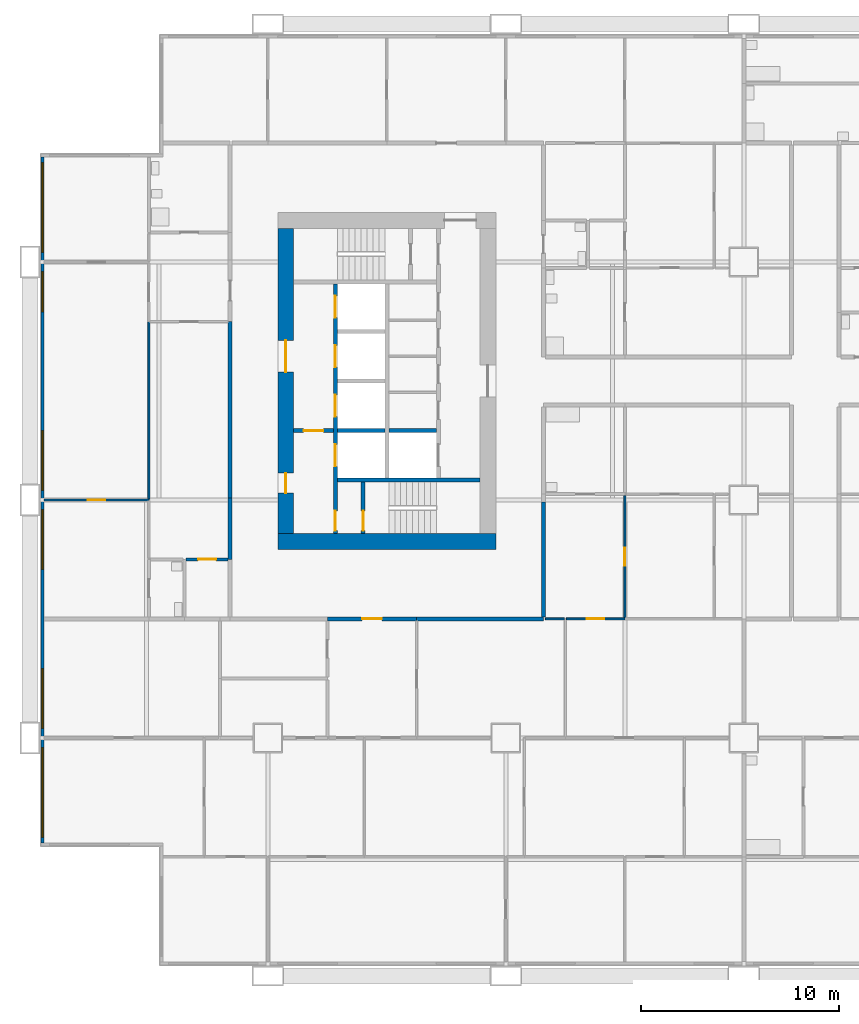
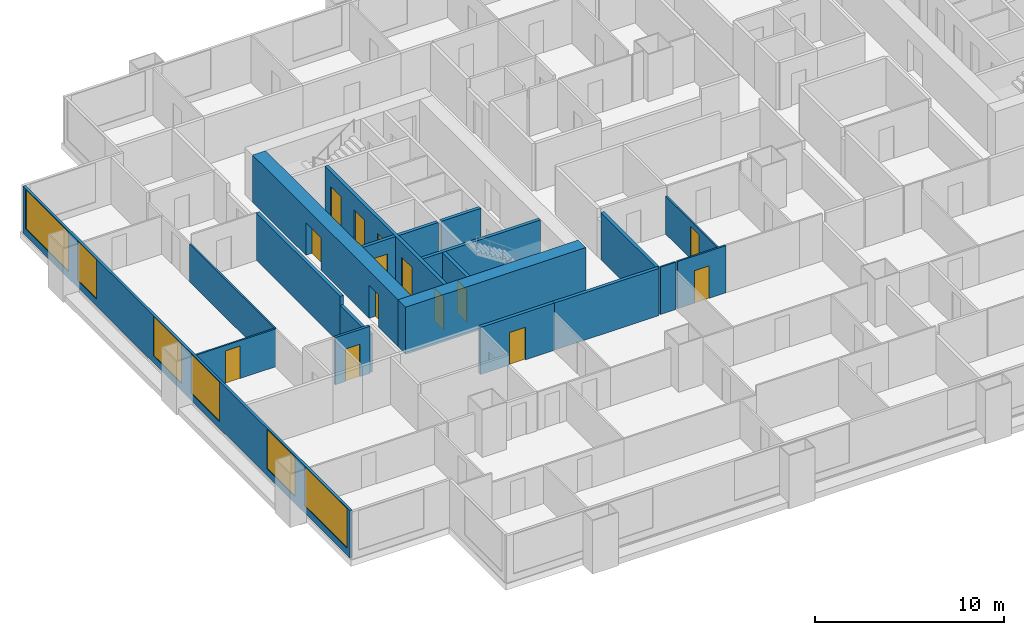
# One storey, part 3 of 13: 20 walls, 14 doors, 6 windows, 20 openings.
"""IFC4 building model written with IfcOpenShell, lengths in metres."""

from ifc_helpers import new_model, si_unit, direction, frame, frame_2d, origin, place, context, subcontext, project, spatial, rectangle, extrude, material, layer, layer_set, type_object, element, fill, save


model = new_model("IFC4")

# Units and contexts
model_context = context("Model", 3, precision=1e-05, world=origin(), true_north=direction((0.0, 1.0)))
body_context = subcontext(model_context, "Body", "Model", "MODEL_VIEW")
ifc_project = project(units=[si_unit("LENGTHUNIT", "METRE"), si_unit("AREAUNIT", "SQUARE_METRE"), si_unit("VOLUMEUNIT", "CUBIC_METRE"), si_unit("PLANEANGLEUNIT", "RADIAN"), si_unit("MASSUNIT", "GRAM", prefix="KILO")], contexts=[model_context])

# Site, building, storey
site_placement = place(None, origin())
site = spatial("IfcSite", under=ifc_project, at=site_placement, CompositionType="ELEMENT")
building_placement = place(site_placement, origin())
building = spatial("IfcBuilding", under=site, at=building_placement, Name="Kitamizu Gate Tower and Museum", CompositionType="ELEMENT")
storey_placement = place(building_placement, frame((0.0, 0.0, 81.75)))
storey = spatial("IfcBuildingStorey", under=building, at=storey_placement, Name="L20", CompositionType="ELEMENT", Elevation=81.75)

# Wall
ifc_material_1 = material(Name="Concrete Fc60", Category="concrete")
ifc_layer_1 = layer(ifc_material_1, 0.800048828125)
ifc_layer_set_1 = layer_set([ifc_layer_1], Name="Concrete Fc60")
wall_type_1 = type_object("IfcWallType", Name="Core wall 800", PredefinedType="SHEAR", material=ifc_layer_set_1)
wall_1_placement = place(storey_placement, frame((12.5, 21.89990234375, 0.0), z_axis=(0.0, 0.0, 1.0), x_axis=(1.0, 0.0, 0.0)))
element("IfcWall", 1, at=wall_1_placement, inside=storey, type_object=wall_type_1, Name="Core wall WS", PredefinedType="SHEAR", context=body_context, shape_type="SweptSolid", body=[
    extrude(rectangle(XDim=11.0, YDim=0.800048828125, at=frame_2d((5.5, 0.0))), origin(), (0.0, 0.0, 1.0), 3.050048828125),
])

# Wall, openings, doors
wall_2_placement = place(storey_placement, frame((12.89990234375, 22.300048828125, 0.0), z_axis=(0.0, 0.0, 1.0), x_axis=(0.0, 1.0, 0.0)))
wall_2 = element("IfcWall", 2, at=wall_2_placement, inside=storey, type_object=wall_type_1, Name="Core wall WOUT", PredefinedType="SHEAR", context=body_context, shape_type="SweptSolid", body=[
    extrude(rectangle(XDim=15.39990234375, YDim=0.800048828125, at=frame_2d((7.699951171875, 0.0))), origin(), (0.0, 0.0, 1.0), 3.050048828125),
])
opening_1_placement = place(wall_2_placement, frame((8.14990234375, 0.0, 0.0)))
opening_1 = element("IfcOpeningElement", 3, at=opening_1_placement, cuts=wall_2, Name="Opening L20-081", PredefinedType="OPENING", context=body_context, shape_type="SweptSolid", body=[
    extrude(rectangle(XDim=1.60009765625, YDim=2.10009765625, at=frame_2d((0.800048828125, 1.050048828125))), frame((0.0, 0.41015625, 0.0), z_axis=(0.0, -1.0, 0.0), x_axis=(1.0, 0.0, 0.0)), (0.0, 0.0, 1.0), 0.820068359375),
])
opening_2_placement = place(wall_2_placement, frame((2.050048828125, 0.0, 0.0)))
opening_2 = element("IfcOpeningElement", 4, at=opening_2_placement, cuts=wall_2, Name="Opening L20-082", PredefinedType="OPENING", context=body_context, shape_type="SweptSolid", body=[
    extrude(rectangle(XDim=1.0, YDim=2.10009765625, at=frame_2d((0.5, 1.050048828125))), frame((0.0, 0.41015625, 0.0), z_axis=(0.0, -1.0, 0.0), x_axis=(1.0, 0.0, 0.0)), (0.0, 0.0, 1.0), 0.820068359375),
])
ifc_material_2 = material(Name="Timber door set", Category="wood")
door_type_1 = type_object("IfcDoorType", Name="Entrance door 1600", OperationType="DOUBLE_DOOR_SINGLE_SWING", PredefinedType="DOOR", material=ifc_material_2)
door_1_placement = place(opening_1_placement, origin())
door_1 = element("IfcDoor", 5, at=door_1_placement, inside=storey, type_object=door_type_1, Name="Lobby door L20-081", OperationType="DOUBLE_DOOR_SINGLE_SWING", OverallHeight=2.10009765625, OverallWidth=1.60009765625, PredefinedType="DOOR", context=body_context, shape_type="SweptSolid", body=[
    extrude(rectangle(XDim=1.60009765625, YDim=2.10009765625, at=frame_2d((0.800048828125, 1.050048828125))), frame((0.0, 0.02490234375, 0.0), z_axis=(0.0, -1.0, 0.0), x_axis=(1.0, 0.0, 0.0)), (0.0, 0.0, 1.0), 0.050048828125),
])
fill(opening_1, door_1)
ifc_material_3 = material(Name="Hollow metal door set")
door_type_2 = type_object("IfcDoorType", Name="Fire door 1000", OperationType="NOTDEFINED", PredefinedType="DOOR", material=ifc_material_3)
door_2_placement = place(opening_2_placement, frame((1.0, 0.0, 0.0), x_axis=(-1.0, 0.0, 0.0)))
door_2 = element("IfcDoor", 6, at=door_2_placement, inside=storey, type_object=door_type_2, Name="Fire-fighting lobby door L20-082", OperationType="SINGLE_SWING_RIGHT", OverallHeight=2.10009765625, OverallWidth=1.0, PredefinedType="DOOR", context=body_context, shape_type="SweptSolid", body=[
    extrude(rectangle(XDim=1.0, YDim=2.10009765625, at=frame_2d((0.5, 1.050048828125))), frame((0.0, 0.02490234375, 0.0), z_axis=(0.0, -1.0, 0.0), x_axis=(1.0, 0.0, 0.0)), (0.0, 0.0, 1.0), 0.050048828125),
])
fill(opening_2, door_2)

# Wall
ifc_material_4 = material(Name="Gypsum board on galvanised stud")
ifc_layer_2 = layer(ifc_material_4, 0.10009765625)
ifc_layer_set_2 = layer_set([ifc_layer_2], Name="Gypsum board on galvanised stud")
wall_type_2 = type_object("IfcWallType", Name="Partition 100 NOT RATED", PredefinedType="PARTITIONING", material=ifc_layer_set_2)
wall_3_placement = place(storey_placement, frame((26.949951171875, 18.0, 0.0), z_axis=(0.0, 0.0, 1.0), x_axis=(-1.0, 0.0, 0.0)))
element("IfcWall", 7, at=wall_3_placement, inside=storey, type_object=wall_type_2, Name="Partition L20-041", PredefinedType="PARTITIONING", context=body_context, shape_type="SweptSolid", body=[
    extrude(rectangle(XDim=0.949951171875, YDim=0.10009765625, at=frame_2d((0.47509765625, 0.0))), origin(), (0.0, 0.0, 1.0), 3.050048828125),
])

# Wall, opening, door
wall_4_placement = place(storey_placement, frame((30.0, 18.0, 0.0), z_axis=(0.0, 0.0, 1.0), x_axis=(-1.0, 0.0, 0.0)))
wall_4 = element("IfcWall", 8, at=wall_4_placement, inside=storey, type_object=wall_type_2, Name="Partition L20-043", PredefinedType="PARTITIONING", context=body_context, shape_type="SweptSolid", body=[
    extrude(rectangle(XDim=2.949951171875, YDim=0.10009765625, at=frame_2d((1.47509765625, 0.0))), origin(), (0.0, 0.0, 1.0), 3.050048828125),
])
opening_3_placement = place(wall_4_placement, frame((1.02490234375, 0.0, 0.0)))
opening_3 = element("IfcOpeningElement", 9, at=opening_3_placement, cuts=wall_4, Name="Opening L20-016", PredefinedType="OPENING", context=body_context, shape_type="SweptSolid", body=[
    extrude(rectangle(XDim=0.89990234375, YDim=2.10009765625, at=frame_2d((0.449951171875, 1.050048828125))), frame((0.0, 0.06005859375, 0.0), z_axis=(0.0, -1.0, 0.0), x_axis=(1.0, 0.0, 0.0)), (0.0, 0.0, 1.0), 0.1201171875),
])
ifc_material_5 = material(Name="Timber door set", Category="wood")
door_type_3 = type_object("IfcDoorType", Name="Room door 900", OperationType="NOTDEFINED", PredefinedType="DOOR", material=ifc_material_5)
door_3_placement = place(opening_3_placement, frame((0.89990234375, 0.0, 0.0), x_axis=(-1.0, 0.0, 0.0)))
door_3 = element("IfcDoor", 10, at=door_3_placement, inside=storey, type_object=door_type_3, Name="Door L20-016", OperationType="SINGLE_SWING_LEFT", OverallHeight=2.10009765625, OverallWidth=0.89990234375, PredefinedType="DOOR", context=body_context, shape_type="SweptSolid", body=[
    extrude(rectangle(XDim=0.89990234375, YDim=2.10009765625, at=frame_2d((0.449951171875, 1.050048828125))), frame((0.0, 0.02490234375, 0.0), z_axis=(0.0, -1.0, 0.0), x_axis=(1.0, 0.0, 0.0)), (0.0, 0.0, 1.0), 0.050048828125),
])
fill(opening_3, door_3)

wall_5_placement = place(storey_placement, frame((30.0, 18.050048828125, 0.0), z_axis=(0.0, 0.0, 1.0), x_axis=(0.0, 1.0, 0.0)))
wall_5 = element("IfcWall", 11, at=wall_5_placement, inside=storey, type_object=wall_type_2, Name="Partition L20-047", PredefinedType="PARTITIONING", context=body_context, shape_type="SweptSolid", body=[
    extrude(rectangle(XDim=6.175048828125, YDim=0.10009765625, at=frame_2d((3.08740234375, 0.0))), origin(), (0.0, 0.0, 1.0), 2.449951171875),
])
opening_4_placement = place(wall_5_placement, frame((2.637451171875, 0.0, 0.0)))
opening_4 = element("IfcOpeningElement", 12, at=opening_4_placement, cuts=wall_5, Name="Opening L20-017", PredefinedType="OPENING", context=body_context, shape_type="SweptSolid", body=[
    extrude(rectangle(XDim=0.89990234375, YDim=2.10009765625, at=frame_2d((0.449951171875, 1.050048828125))), frame((0.0, 0.06005859375, 0.0), z_axis=(0.0, -1.0, 0.0), x_axis=(1.0, 0.0, 0.0)), (0.0, 0.0, 1.0), 0.1201171875),
])
door_4_placement = place(opening_4_placement, origin())
door_4 = element("IfcDoor", 13, at=door_4_placement, inside=storey, type_object=door_type_3, Name="Door L20-017", OperationType="SINGLE_SWING_LEFT", OverallHeight=2.10009765625, OverallWidth=0.89990234375, PredefinedType="DOOR", context=body_context, shape_type="SweptSolid", body=[
    extrude(rectangle(XDim=0.89990234375, YDim=2.10009765625, at=frame_2d((0.449951171875, 1.050048828125))), frame((0.0, 0.02490234375, 0.0), z_axis=(0.0, -1.0, 0.0), x_axis=(1.0, 0.0, 0.0)), (0.0, 0.0, 1.0), 0.050048828125),
])
fill(opening_4, door_4)

wall_6_placement = place(storey_placement, frame((6.0, 24.0, 0.0), z_axis=(0.0, 0.0, 1.0), x_axis=(-1.0, 0.0, 0.0)))
wall_6 = element("IfcWall", 14, at=wall_6_placement, inside=storey, type_object=wall_type_2, Name="Partition L20-063", PredefinedType="PARTITIONING", context=body_context, shape_type="SweptSolid", body=[
    extrude(rectangle(XDim=5.280029296875, YDim=0.10009765625, at=frame_2d((2.64013671875, 0.0))), origin(), (0.0, 0.0, 1.0), 2.449951171875),
])
opening_5_placement = place(wall_6_placement, frame((2.18994140625, 0.0, 0.0)))
opening_5 = element("IfcOpeningElement", 15, at=opening_5_placement, cuts=wall_6, Name="Opening L20-024", PredefinedType="OPENING", context=body_context, shape_type="SweptSolid", body=[
    extrude(rectangle(XDim=0.89990234375, YDim=2.10009765625, at=frame_2d((0.449951171875, 1.050048828125))), frame((0.0, 0.06005859375, 0.0), z_axis=(0.0, -1.0, 0.0), x_axis=(1.0, 0.0, 0.0)), (0.0, 0.0, 1.0), 0.1201171875),
])
door_5_placement = place(opening_5_placement, origin())
door_5 = element("IfcDoor", 16, at=door_5_placement, inside=storey, type_object=door_type_3, Name="Door L20-024", OperationType="SINGLE_SWING_RIGHT", OverallHeight=2.10009765625, OverallWidth=0.89990234375, PredefinedType="DOOR", context=body_context, shape_type="SweptSolid", body=[
    extrude(rectangle(XDim=0.89990234375, YDim=2.10009765625, at=frame_2d((0.449951171875, 1.050048828125))), frame((0.0, 0.02490234375, 0.0), z_axis=(0.0, -1.0, 0.0), x_axis=(1.0, 0.0, 0.0)), (0.0, 0.0, 1.0), 0.050048828125),
])
fill(opening_5, door_5)

# Wall
wall_7_placement = place(storey_placement, frame((6.0, 24.050048828125, 0.0), z_axis=(0.0, 0.0, 1.0), x_axis=(0.0, 1.0, 0.0)))
element("IfcWall", 17, at=wall_7_placement, inside=storey, type_object=wall_type_2, Name="Partition L20-067", PredefinedType="PARTITIONING", context=body_context, shape_type="SweptSolid", body=[
    extrude(rectangle(XDim=8.949951171875, YDim=0.10009765625, at=frame_2d((4.47509765625, 0.0))), origin(), (0.0, 0.0, 1.0), 2.449951171875),
])

# Wall, opening, door
ifc_material_6 = material(Name="Gypsum board on galvanised stud")
ifc_layer_3 = layer(ifc_material_6, 0.14990234375)
ifc_layer_set_3 = layer_set([ifc_layer_3], Name="Gypsum board on galvanised stud")
wall_type_3 = type_object("IfcWallType", Name="Partition 150", PredefinedType="PARTITIONING", material=ifc_layer_set_3)
wall_8_placement = place(storey_placement, frame((10.0, 21.0, 0.0), z_axis=(0.0, 0.0, 1.0), x_axis=(-1.0, 0.0, 0.0)))
wall_8 = element("IfcWall", 18, at=wall_8_placement, inside=storey, type_object=wall_type_3, Name="Partition L20-073", PredefinedType="PARTITIONING", context=body_context, shape_type="SweptSolid", body=[
    extrude(rectangle(XDim=2.125, YDim=0.14990234375, at=frame_2d((1.0625, 0.0))), origin(), (0.0, 0.0, 1.0), 3.050048828125),
])
opening_6_placement = place(wall_8_placement, frame((0.612548828125, 0.0, 0.0)))
opening_6 = element("IfcOpeningElement", 19, at=opening_6_placement, cuts=wall_8, Name="Opening L20-028", PredefinedType="OPENING", context=body_context, shape_type="SweptSolid", body=[
    extrude(rectangle(XDim=0.89990234375, YDim=2.10009765625, at=frame_2d((0.449951171875, 1.050048828125))), frame((0.0, 0.0849609375, 0.0), z_axis=(0.0, -1.0, 0.0), x_axis=(1.0, 0.0, 0.0)), (0.0, 0.0, 1.0), 0.169921875),
])
ifc_material_7 = material(Name="Timber door set", Category="wood")
door_type_4 = type_object("IfcDoorType", Name="Bathroom door 900", OperationType="NOTDEFINED", PredefinedType="DOOR", material=ifc_material_7)
door_6_placement = place(opening_6_placement, origin())
door_6 = element("IfcDoor", 20, at=door_6_placement, inside=storey, type_object=door_type_4, Name="Bathroom door L20-028", OperationType="SINGLE_SWING_RIGHT", OverallHeight=2.10009765625, OverallWidth=0.89990234375, PredefinedType="DOOR", context=body_context, shape_type="SweptSolid", body=[
    extrude(rectangle(XDim=0.89990234375, YDim=2.10009765625, at=frame_2d((0.449951171875, 1.050048828125))), frame((0.0, 0.02490234375, 0.0), z_axis=(0.0, -1.0, 0.0), x_axis=(1.0, 0.0, 0.0)), (0.0, 0.0, 1.0), 0.050048828125),
])
fill(opening_6, door_6)

ifc_material_8 = material(Name="Gypsum board on galvanised stud")
ifc_layer_4 = layer(ifc_material_8, 0.199951171875)
ifc_layer_set_4 = layer_set([ifc_layer_4], Name="Gypsum board on galvanised stud")
wall_type_4 = type_object("IfcWallType", Name="Partition 200", PredefinedType="PARTITIONING", material=ifc_layer_set_4)
wall_9_placement = place(storey_placement, frame((19.5, 18.0, 0.0), z_axis=(0.0, 0.0, 1.0), x_axis=(-1.0, 0.0, 0.0)))
wall_9 = element("IfcWall", 21, at=wall_9_placement, inside=storey, type_object=wall_type_4, Name="Partition L20-039", PredefinedType="PARTITIONING", context=body_context, shape_type="SweptSolid", body=[
    extrude(rectangle(XDim=4.5, YDim=0.199951171875, at=frame_2d((2.25, 0.0))), origin(), (0.0, 0.0, 1.0), 3.050048828125),
])
opening_7_placement = place(wall_9_placement, frame((1.75, 0.0, 0.0)))
opening_7 = element("IfcOpeningElement", 22, at=opening_7_placement, cuts=wall_9, Name="Opening L20-001", PredefinedType="OPENING", context=body_context, shape_type="SweptSolid", body=[
    extrude(rectangle(XDim=1.0, YDim=2.10009765625, at=frame_2d((0.5, 1.050048828125))), frame((0.0, 0.10986328125, 0.0), z_axis=(0.0, -1.0, 0.0), x_axis=(1.0, 0.0, 0.0)), (0.0, 0.0, 1.0), 0.219970703125),
])
ifc_material_9 = material(Name="Timber door set", Category="wood")
door_type_5 = type_object("IfcDoorType", Name="Flat entrance door 1000", OperationType="NOTDEFINED", PredefinedType="DOOR", material=ifc_material_9)
door_7_placement = place(opening_7_placement, origin())
door_7 = element("IfcDoor", 23, at=door_7_placement, inside=storey, type_object=door_type_5, Name="Flat entrance door L20-001", OperationType="SINGLE_SWING_RIGHT", OverallHeight=2.10009765625, OverallWidth=1.0, PredefinedType="DOOR", context=body_context, shape_type="SweptSolid", body=[
    extrude(rectangle(XDim=1.0, YDim=2.10009765625, at=frame_2d((0.5, 1.050048828125))), frame((0.0, 0.02490234375, 0.0), z_axis=(0.0, -1.0, 0.0), x_axis=(1.0, 0.0, 0.0)), (0.0, 0.0, 1.0), 0.050048828125),
])
fill(opening_7, door_7)

# Walls
wall_10_placement = place(storey_placement, frame((25.89990234375, 18.0, 0.0), z_axis=(0.0, 0.0, 1.0), x_axis=(-1.0, 0.0, 0.0)))
element("IfcWall", 24, at=wall_10_placement, inside=storey, type_object=wall_type_4, Name="Partition L20-042", PredefinedType="PARTITIONING", context=body_context, shape_type="SweptSolid", body=[
    extrude(rectangle(XDim=6.39990234375, YDim=0.199951171875, at=frame_2d((3.199951171875, 0.0))), origin(), (0.0, 0.0, 1.0), 3.050048828125),
])
wall_11_placement = place(storey_placement, frame((25.89990234375, 23.89990234375, 0.0), z_axis=(0.0, 0.0, 1.0), x_axis=(0.0, -1.0, 0.0)))
element("IfcWall", 25, at=wall_11_placement, inside=storey, type_object=wall_type_4, Name="Partition L20-050", PredefinedType="PARTITIONING", context=body_context, shape_type="SweptSolid", body=[
    extrude(rectangle(XDim=5.7998046875, YDim=0.199951171875, at=frame_2d((2.89990234375, 0.0))), origin(), (0.0, 0.0, 1.0), 3.050048828125),
])
wall_12_placement = place(storey_placement, frame((10.10009765625, 21.0, 0.0), z_axis=(0.0, 0.0, 1.0), x_axis=(0.0, 1.0, 0.0)))
element("IfcWall", 26, at=wall_12_placement, inside=storey, type_object=wall_type_4, Name="Partition L20-076", PredefinedType="PARTITIONING", context=body_context, shape_type="SweptSolid", body=[
    extrude(rectangle(XDim=3.10009765625, YDim=0.199951171875, at=frame_2d((1.550048828125, 0.0))), origin(), (0.0, 0.0, 1.0), 2.449951171875),
])
wall_13_placement = place(storey_placement, frame((10.10009765625, 24.10009765625, 0.0), z_axis=(0.0, 0.0, 1.0), x_axis=(0.0, 1.0, 0.0)))
element("IfcWall", 27, at=wall_13_placement, inside=storey, type_object=wall_type_4, Name="Partition L20-077", PredefinedType="PARTITIONING", context=body_context, shape_type="SweptSolid", body=[
    extrude(rectangle(XDim=8.89990234375, YDim=0.199951171875, at=frame_2d((4.449951171875, 0.0))), origin(), (0.0, 0.0, 1.0), 3.050048828125),
])

# Wall, openings, doors
ifc_material_10 = material(Name="Concrete Fc42", Category="concrete")
ifc_layer_5 = layer(ifc_material_10, 0.199951171875)
ifc_layer_set_5 = layer_set([ifc_layer_5], Name="Concrete Fc42")
wall_type_5 = type_object("IfcWallType", Name="Shaft wall 200", PredefinedType="SOLIDWALL", material=ifc_layer_set_5)
wall_14_placement = place(storey_placement, frame((15.39990234375, 22.300048828125, 0.0), z_axis=(0.0, 0.0, 1.0), x_axis=(0.0, 1.0, 0.0)))
wall_14 = element("IfcWall", 28, at=wall_14_placement, inside=storey, type_object=wall_type_5, Name="Shaft wall WWEST", PredefinedType="SOLIDWALL", context=body_context, shape_type="SweptSolid", body=[
    extrude(rectangle(XDim=12.599853515625, YDim=0.199951171875, at=frame_2d((6.2998046875, 0.0))), origin(), (0.0, 0.0, 1.0), 3.050048828125),
])
opening_8_placement = place(wall_14_placement, frame((3.39990234375, 0.0, 0.0)))
opening_8 = element("IfcOpeningElement", 29, at=opening_8_placement, cuts=wall_14, Name="Opening LD", PredefinedType="OPENING", context=body_context, shape_type="SweptSolid", body=[
    extrude(rectangle(XDim=1.10009765625, YDim=2.10009765625, at=frame_2d((0.550048828125, 1.050048828125))), frame((0.0, 0.10986328125, 0.0), z_axis=(0.0, -1.0, 0.0), x_axis=(1.0, 0.0, 0.0)), (0.0, 0.0, 1.0), 0.219970703125),
])
opening_9_placement = place(wall_14_placement, frame((5.89990234375, 0.0, 0.0)))
opening_9 = element("IfcOpeningElement", 30, at=opening_9_placement, cuts=wall_14, Name="Opening LD", PredefinedType="OPENING", context=body_context, shape_type="SweptSolid", body=[
    extrude(rectangle(XDim=1.10009765625, YDim=2.10009765625, at=frame_2d((0.550048828125, 1.050048828125))), frame((0.0, 0.10986328125, 0.0), z_axis=(0.0, -1.0, 0.0), x_axis=(1.0, 0.0, 0.0)), (0.0, 0.0, 1.0), 0.219970703125),
])
opening_10_placement = place(wall_14_placement, frame((8.39990234375, 0.0, 0.0)))
opening_10 = element("IfcOpeningElement", 31, at=opening_10_placement, cuts=wall_14, Name="Opening LD", PredefinedType="OPENING", context=body_context, shape_type="SweptSolid", body=[
    extrude(rectangle(XDim=1.10009765625, YDim=2.10009765625, at=frame_2d((0.550048828125, 1.050048828125))), frame((0.0, 0.10986328125, 0.0), z_axis=(0.0, -1.0, 0.0), x_axis=(1.0, 0.0, 0.0)), (0.0, 0.0, 1.0), 0.219970703125),
])
opening_11_placement = place(wall_14_placement, frame((10.89990234375, 0.0, 0.0)))
opening_11 = element("IfcOpeningElement", 32, at=opening_11_placement, cuts=wall_14, Name="Opening LD", PredefinedType="OPENING", context=body_context, shape_type="SweptSolid", body=[
    extrude(rectangle(XDim=1.10009765625, YDim=2.10009765625, at=frame_2d((0.550048828125, 1.050048828125))), frame((0.0, 0.10986328125, 0.0), z_axis=(0.0, -1.0, 0.0), x_axis=(1.0, 0.0, 0.0)), (0.0, 0.0, 1.0), 0.219970703125),
])
opening_12_placement = place(wall_14_placement, frame((0.14990234375, 0.0, 0.0)))
opening_12 = element("IfcOpeningElement", 33, at=opening_12_placement, cuts=wall_14, Name="Opening L20-077", PredefinedType="OPENING", context=body_context, shape_type="SweptSolid", body=[
    extrude(rectangle(XDim=1.0, YDim=2.10009765625, at=frame_2d((0.5, 1.050048828125))), frame((0.0, 0.10986328125, 0.0), z_axis=(0.0, -1.0, 0.0), x_axis=(1.0, 0.0, 0.0)), (0.0, 0.0, 1.0), 0.219970703125),
])
door_8_placement = place(opening_12_placement, frame((1.0, 0.0, 0.0), x_axis=(-1.0, 0.0, 0.0)))
door_8 = element("IfcDoor", 34, at=door_8_placement, inside=storey, type_object=door_type_2, Name="Stair lobby door L20-077", OperationType="SINGLE_SWING_LEFT", OverallHeight=2.10009765625, OverallWidth=1.0, PredefinedType="DOOR", context=body_context, shape_type="SweptSolid", body=[
    extrude(rectangle(XDim=1.0, YDim=2.10009765625, at=frame_2d((0.5, 1.050048828125))), frame((0.0, 0.02490234375, 0.0), z_axis=(0.0, -1.0, 0.0), x_axis=(1.0, 0.0, 0.0)), (0.0, 0.0, 1.0), 0.050048828125),
])
fill(opening_12, door_8)
ifc_material_11 = material(Name="Hollow metal door set")
door_type_6 = type_object("IfcDoorType", Name="Landing door 1100", OperationType="SLIDING_TO_LEFT", PredefinedType="DOOR", material=ifc_material_11)
door_9_placement = place(opening_8_placement, origin())
door_9 = element("IfcDoor", 35, at=door_9_placement, inside=storey, type_object=door_type_6, Name="Landing door WFF1", OperationType="SLIDING_TO_LEFT", OverallHeight=2.10009765625, OverallWidth=1.10009765625, PredefinedType="DOOR", context=body_context, shape_type="SweptSolid", body=[
    extrude(rectangle(XDim=1.10009765625, YDim=2.10009765625, at=frame_2d((0.550048828125, 1.050048828125))), frame((0.0, 0.02490234375, 0.0), z_axis=(0.0, -1.0, 0.0), x_axis=(1.0, 0.0, 0.0)), (0.0, 0.0, 1.0), 0.050048828125),
])
fill(opening_8, door_9)
door_10_placement = place(opening_9_placement, origin())
door_10 = element("IfcDoor", 36, at=door_10_placement, inside=storey, type_object=door_type_6, Name="Landing door WL1", OperationType="SLIDING_TO_LEFT", OverallHeight=2.10009765625, OverallWidth=1.10009765625, PredefinedType="DOOR", context=body_context, shape_type="SweptSolid", body=[
    extrude(rectangle(XDim=1.10009765625, YDim=2.10009765625, at=frame_2d((0.550048828125, 1.050048828125))), frame((0.0, 0.02490234375, 0.0), z_axis=(0.0, -1.0, 0.0), x_axis=(1.0, 0.0, 0.0)), (0.0, 0.0, 1.0), 0.050048828125),
])
fill(opening_9, door_10)
door_11_placement = place(opening_10_placement, origin())
door_11 = element("IfcDoor", 37, at=door_11_placement, inside=storey, type_object=door_type_6, Name="Landing door WL2", OperationType="SLIDING_TO_LEFT", OverallHeight=2.10009765625, OverallWidth=1.10009765625, PredefinedType="DOOR", context=body_context, shape_type="SweptSolid", body=[
    extrude(rectangle(XDim=1.10009765625, YDim=2.10009765625, at=frame_2d((0.550048828125, 1.050048828125))), frame((0.0, 0.02490234375, 0.0), z_axis=(0.0, -1.0, 0.0), x_axis=(1.0, 0.0, 0.0)), (0.0, 0.0, 1.0), 0.050048828125),
])
fill(opening_10, door_11)
door_12_placement = place(opening_11_placement, origin())
door_12 = element("IfcDoor", 38, at=door_12_placement, inside=storey, type_object=door_type_6, Name="Landing door WL3", OperationType="SLIDING_TO_LEFT", OverallHeight=2.10009765625, OverallWidth=1.10009765625, PredefinedType="DOOR", context=body_context, shape_type="SweptSolid", body=[
    extrude(rectangle(XDim=1.10009765625, YDim=2.10009765625, at=frame_2d((0.550048828125, 1.050048828125))), frame((0.0, 0.02490234375, 0.0), z_axis=(0.0, -1.0, 0.0), x_axis=(1.0, 0.0, 0.0)), (0.0, 0.0, 1.0), 0.050048828125),
])
fill(opening_11, door_12)

# Wall
wall_15_placement = place(storey_placement, frame((15.5, 25.0, 0.0), z_axis=(0.0, 0.0, 1.0), x_axis=(1.0, 0.0, 0.0)))
element("IfcWall", 39, at=wall_15_placement, inside=storey, type_object=wall_type_5, Name="Shaft wall WSB", PredefinedType="SOLIDWALL", context=body_context, shape_type="SweptSolid", body=[
    extrude(rectangle(XDim=7.199951171875, YDim=0.199951171875, at=frame_2d((3.60009765625, 0.0))), origin(), (0.0, 0.0, 1.0), 3.050048828125),
])

# Wall, opening, door
wall_16_placement = place(storey_placement, frame((13.300048828125, 27.5, 0.0), z_axis=(0.0, 0.0, 1.0), x_axis=(1.0, 0.0, 0.0)))
wall_16 = element("IfcWall", 40, at=wall_16_placement, inside=storey, type_object=wall_type_5, Name="Shaft wall WFFN", PredefinedType="SOLIDWALL", context=body_context, shape_type="SweptSolid", body=[
    extrude(rectangle(XDim=2.0, YDim=0.199951171875, at=frame_2d((1.0, 0.0))), origin(), (0.0, 0.0, 1.0), 3.050048828125),
])
opening_13_placement = place(wall_16_placement, frame((0.5, 0.0, 0.0)))
opening_13 = element("IfcOpeningElement", 41, at=opening_13_placement, cuts=wall_16, Name="Opening L20-080", PredefinedType="OPENING", context=body_context, shape_type="SweptSolid", body=[
    extrude(rectangle(XDim=1.0, YDim=2.10009765625, at=frame_2d((0.5, 1.050048828125))), frame((0.0, 0.10986328125, 0.0), z_axis=(0.0, -1.0, 0.0), x_axis=(1.0, 0.0, 0.0)), (0.0, 0.0, 1.0), 0.219970703125),
])
door_13_placement = place(opening_13_placement, frame((1.0, 0.0, 0.0), x_axis=(-1.0, 0.0, 0.0)))
door_13 = element("IfcDoor", 42, at=door_13_placement, inside=storey, type_object=door_type_2, Name="Fire-fighting lobby door L20-080", OperationType="SINGLE_SWING_LEFT", OverallHeight=2.10009765625, OverallWidth=1.0, PredefinedType="DOOR", context=body_context, shape_type="SweptSolid", body=[
    extrude(rectangle(XDim=1.0, YDim=2.10009765625, at=frame_2d((0.5, 1.050048828125))), frame((0.0, 0.02490234375, 0.0), z_axis=(0.0, -1.0, 0.0), x_axis=(1.0, 0.0, 0.0)), (0.0, 0.0, 1.0), 0.050048828125),
])
fill(opening_13, door_13)

wall_17_placement = place(storey_placement, frame((16.800048828125, 22.300048828125, 0.0), z_axis=(0.0, 0.0, 1.0), x_axis=(0.0, 1.0, 0.0)))
wall_17 = element("IfcWall", 43, at=wall_17_placement, inside=storey, type_object=wall_type_5, Name="Shaft wall WSZ", PredefinedType="SOLIDWALL", context=body_context, shape_type="SweptSolid", body=[
    extrude(rectangle(XDim=2.599853515625, YDim=0.199951171875, at=frame_2d((1.2998046875, 0.0))), origin(), (0.0, 0.0, 1.0), 3.050048828125),
])
opening_14_placement = place(wall_17_placement, frame((0.14990234375, 0.0, 0.0)))
opening_14 = element("IfcOpeningElement", 44, at=opening_14_placement, cuts=wall_17, Name="Opening L20-076", PredefinedType="OPENING", context=body_context, shape_type="SweptSolid", body=[
    extrude(rectangle(XDim=1.0, YDim=2.10009765625, at=frame_2d((0.5, 1.050048828125))), frame((0.0, 0.10986328125, 0.0), z_axis=(0.0, -1.0, 0.0), x_axis=(1.0, 0.0, 0.0)), (0.0, 0.0, 1.0), 0.219970703125),
])
door_14_placement = place(opening_14_placement, frame((1.0, 0.0, 0.0), x_axis=(-1.0, 0.0, 0.0)))
door_14 = element("IfcDoor", 45, at=door_14_placement, inside=storey, type_object=door_type_2, Name="Stair door L20-076", OperationType="SINGLE_SWING_LEFT", OverallHeight=2.10009765625, OverallWidth=1.0, PredefinedType="DOOR", context=body_context, shape_type="SweptSolid", body=[
    extrude(rectangle(XDim=1.0, YDim=2.10009765625, at=frame_2d((0.5, 1.050048828125))), frame((0.0, 0.02490234375, 0.0), z_axis=(0.0, -1.0, 0.0), x_axis=(1.0, 0.0, 0.0)), (0.0, 0.0, 1.0), 0.050048828125),
])
fill(opening_14, door_14)

# Walls
for number, where, z_axis, x_axis, name in (
    (46, (15.5, 27.5, 0.0), (0.0, 0.0, 1.0), (1.0, 0.0, 0.0), "Shaft wall WDVW0"),
    (47, (18.10009765625, 27.5, 0.0), (0.0, 0.0, 1.0), (1.0, 0.0, 0.0), "Shaft wall WDVE0"),
):
    element("IfcWall", number, at=place(storey_placement, frame(where, z_axis=z_axis, x_axis=x_axis)), inside=storey, type_object=wall_type_5, Name=name, PredefinedType="SOLIDWALL", context=body_context, shape_type="SweptSolid", body=[
        extrude(rectangle(XDim=2.39990234375, YDim=0.199951171875, at=frame_2d((1.199951171875, 0.0))), origin(), (0.0, 0.0, 1.0), 3.050048828125),
    ])

# Wall, openings, windows
ifc_material_12 = material(Name="Bronze anodised aluminium frame with insulated spandrel and tinted glass", Category="aluminium")
ifc_layer_6 = layer(ifc_material_12, 0.14990234375)
ifc_layer_set_6 = layer_set([ifc_layer_6], Name="Bronze anodised aluminium frame with insulated spandrel and tinted glass")
wall_type_6 = type_object("IfcWallType", Name="WINDOW WALL 150 BRONZE FRAME EI 30", PredefinedType="ELEMENTEDWALL", material=ifc_layer_set_6)
wall_18_placement = place(storey_placement, frame((0.635009765625, 6.7099609375, 0.0), z_axis=(0.0, 0.0, 1.0), x_axis=(0.0, 1.0, 0.0)))
wall_18 = element("IfcWall", 48, at=wall_18_placement, inside=storey, type_object=wall_type_6, Name="Window wall west L20", PredefinedType="ELEMENTEDWALL", context=body_context, shape_type="SweptSolid", body=[
    extrude(rectangle(XDim=34.580078125, YDim=0.14990234375, at=frame_2d((17.2900390625, 0.0))), origin(), (0.0, 0.0, 1.0), 3.050048828125),
])
opening_15_placement = place(wall_18_placement, frame((0.2900390625, 0.0, 0.449951171875)))
opening_15 = element("IfcOpeningElement", 49, at=opening_15_placement, cuts=wall_18, Name="Opening W15", PredefinedType="OPENING", context=body_context, shape_type="SweptSolid", body=[
    extrude(rectangle(XDim=4.5, YDim=2.550048828125, at=frame_2d((2.25, 1.27490234375))), frame((0.0, 0.0849609375, 0.0), z_axis=(0.0, -1.0, 0.0), x_axis=(1.0, 0.0, 0.0)), (0.0, 0.0, 1.0), 0.169921875),
])
opening_16_placement = place(wall_18_placement, frame((5.7900390625, 0.0, 0.449951171875)))
opening_16 = element("IfcOpeningElement", 50, at=opening_16_placement, cuts=wall_18, Name="Opening W33", PredefinedType="OPENING", context=body_context, shape_type="SweptSolid", body=[
    extrude(rectangle(XDim=3.0, YDim=2.550048828125, at=frame_2d((1.5, 1.27490234375))), frame((0.0, 0.0849609375, 0.0), z_axis=(0.0, -1.0, 0.0), x_axis=(1.0, 0.0, 0.0)), (0.0, 0.0, 1.0), 0.169921875),
])
opening_17_placement = place(wall_18_placement, frame((13.7900390625, 0.0, 0.449951171875)))
opening_17 = element("IfcOpeningElement", 51, at=opening_17_placement, cuts=wall_18, Name="Opening W33", PredefinedType="OPENING", context=body_context, shape_type="SweptSolid", body=[
    extrude(rectangle(XDim=3.0, YDim=2.550048828125, at=frame_2d((1.5, 1.27490234375))), frame((0.0, 0.0849609375, 0.0), z_axis=(0.0, -1.0, 0.0), x_axis=(1.0, 0.0, 0.0)), (0.0, 0.0, 1.0), 0.169921875),
])
opening_18_placement = place(wall_18_placement, frame((17.7900390625, 0.0, 0.449951171875)))
opening_18 = element("IfcOpeningElement", 52, at=opening_18_placement, cuts=wall_18, Name="Opening W33", PredefinedType="OPENING", context=body_context, shape_type="SweptSolid", body=[
    extrude(rectangle(XDim=3.0, YDim=2.550048828125, at=frame_2d((1.5, 1.27490234375))), frame((0.0, 0.0849609375, 0.0), z_axis=(0.0, -1.0, 0.0), x_axis=(1.0, 0.0, 0.0)), (0.0, 0.0, 1.0), 0.169921875),
])
opening_19_placement = place(wall_18_placement, frame((26.7900390625, 0.0, 0.449951171875)))
opening_19 = element("IfcOpeningElement", 53, at=opening_19_placement, cuts=wall_18, Name="Opening W2", PredefinedType="OPENING", context=body_context, shape_type="SweptSolid", body=[
    extrude(rectangle(XDim=2.0, YDim=2.550048828125, at=frame_2d((1.0, 1.27490234375))), frame((0.0, 0.0849609375, 0.0), z_axis=(0.0, -1.0, 0.0), x_axis=(1.0, 0.0, 0.0)), (0.0, 0.0, 1.0), 0.169921875),
])
opening_20_placement = place(wall_18_placement, frame((29.7900390625, 0.0, 0.449951171875)))
opening_20 = element("IfcOpeningElement", 54, at=opening_20_placement, cuts=wall_18, Name="Opening W15", PredefinedType="OPENING", context=body_context, shape_type="SweptSolid", body=[
    extrude(rectangle(XDim=4.5, YDim=2.550048828125, at=frame_2d((2.25, 1.27490234375))), frame((0.0, 0.0849609375, 0.0), z_axis=(0.0, -1.0, 0.0), x_axis=(1.0, 0.0, 0.0)), (0.0, 0.0, 1.0), 0.169921875),
])
ifc_material_13 = material(Name="Bronze anodised aluminium frame, tinted triple glazing", Category="aluminium")
window_type_1 = type_object("IfcWindowType", Name="WINDOW 2000 x 2550 SILL 450", PartitioningType="SINGLE_PANEL", PredefinedType="WINDOW", material=ifc_material_13)
window_1_placement = place(opening_19_placement, origin())
window_1 = element("IfcWindow", 55, at=window_1_placement, inside=storey, type_object=window_type_1, Name="Window W2 L20", OverallHeight=2.550048828125, OverallWidth=2.0, PartitioningType="SINGLE_PANEL", PredefinedType="WINDOW", context=body_context, shape_type="SweptSolid", body=[
    extrude(rectangle(XDim=2.0, YDim=2.550048828125, at=frame_2d((1.0, 1.27490234375))), frame((0.0, 0.030029296875, 0.0), z_axis=(0.0, -1.0, 0.0), x_axis=(1.0, 0.0, 0.0)), (0.0, 0.0, 1.0), 0.06005859375),
])
fill(opening_19, window_1)
ifc_material_14 = material(Name="Bronze anodised aluminium frame, tinted triple glazing", Category="aluminium")
window_type_2 = type_object("IfcWindowType", Name="WINDOW 3000 x 2550 SILL 450", PartitioningType="SINGLE_PANEL", PredefinedType="WINDOW", material=ifc_material_14)
window_2_placement = place(opening_16_placement, origin())
window_2 = element("IfcWindow", 56, at=window_2_placement, inside=storey, type_object=window_type_2, Name="Window W33 L20", OverallHeight=2.550048828125, OverallWidth=3.0, PartitioningType="SINGLE_PANEL", PredefinedType="WINDOW", context=body_context, shape_type="SweptSolid", body=[
    extrude(rectangle(XDim=3.0, YDim=2.550048828125, at=frame_2d((1.5, 1.27490234375))), frame((0.0, 0.030029296875, 0.0), z_axis=(0.0, -1.0, 0.0), x_axis=(1.0, 0.0, 0.0)), (0.0, 0.0, 1.0), 0.06005859375),
])
fill(opening_16, window_2)
window_3_placement = place(opening_17_placement, origin())
window_3 = element("IfcWindow", 57, at=window_3_placement, inside=storey, type_object=window_type_2, Name="Window W33 L20", OverallHeight=2.550048828125, OverallWidth=3.0, PartitioningType="SINGLE_PANEL", PredefinedType="WINDOW", context=body_context, shape_type="SweptSolid", body=[
    extrude(rectangle(XDim=3.0, YDim=2.550048828125, at=frame_2d((1.5, 1.27490234375))), frame((0.0, 0.030029296875, 0.0), z_axis=(0.0, -1.0, 0.0), x_axis=(1.0, 0.0, 0.0)), (0.0, 0.0, 1.0), 0.06005859375),
])
fill(opening_17, window_3)
window_4_placement = place(opening_18_placement, origin())
window_4 = element("IfcWindow", 58, at=window_4_placement, inside=storey, type_object=window_type_2, Name="Window W33 L20", OverallHeight=2.550048828125, OverallWidth=3.0, PartitioningType="SINGLE_PANEL", PredefinedType="WINDOW", context=body_context, shape_type="SweptSolid", body=[
    extrude(rectangle(XDim=3.0, YDim=2.550048828125, at=frame_2d((1.5, 1.27490234375))), frame((0.0, 0.030029296875, 0.0), z_axis=(0.0, -1.0, 0.0), x_axis=(1.0, 0.0, 0.0)), (0.0, 0.0, 1.0), 0.06005859375),
])
fill(opening_18, window_4)
ifc_material_15 = material(Name="Bronze anodised aluminium frame, tinted triple glazing", Category="aluminium")
window_type_3 = type_object("IfcWindowType", Name="WINDOW 4500 x 2550 SILL 450", PartitioningType="SINGLE_PANEL", PredefinedType="WINDOW", material=ifc_material_15)
window_5_placement = place(opening_15_placement, origin())
window_5 = element("IfcWindow", 59, at=window_5_placement, inside=storey, type_object=window_type_3, Name="Window W15 L20", OverallHeight=2.550048828125, OverallWidth=4.5, PartitioningType="SINGLE_PANEL", PredefinedType="WINDOW", context=body_context, shape_type="SweptSolid", body=[
    extrude(rectangle(XDim=4.5, YDim=2.550048828125, at=frame_2d((2.25, 1.27490234375))), frame((0.0, 0.030029296875, 0.0), z_axis=(0.0, -1.0, 0.0), x_axis=(1.0, 0.0, 0.0)), (0.0, 0.0, 1.0), 0.06005859375),
])
fill(opening_15, window_5)
window_6_placement = place(opening_20_placement, origin())
window_6 = element("IfcWindow", 60, at=window_6_placement, inside=storey, type_object=window_type_3, Name="Window W15 L20", OverallHeight=2.550048828125, OverallWidth=4.5, PartitioningType="SINGLE_PANEL", PredefinedType="WINDOW", context=body_context, shape_type="SweptSolid", body=[
    extrude(rectangle(XDim=4.5, YDim=2.550048828125, at=frame_2d((2.25, 1.27490234375))), frame((0.0, 0.030029296875, 0.0), z_axis=(0.0, -1.0, 0.0), x_axis=(1.0, 0.0, 0.0)), (0.0, 0.0, 1.0), 0.06005859375),
])
fill(opening_20, window_6)

save(model, "model.ifc")
